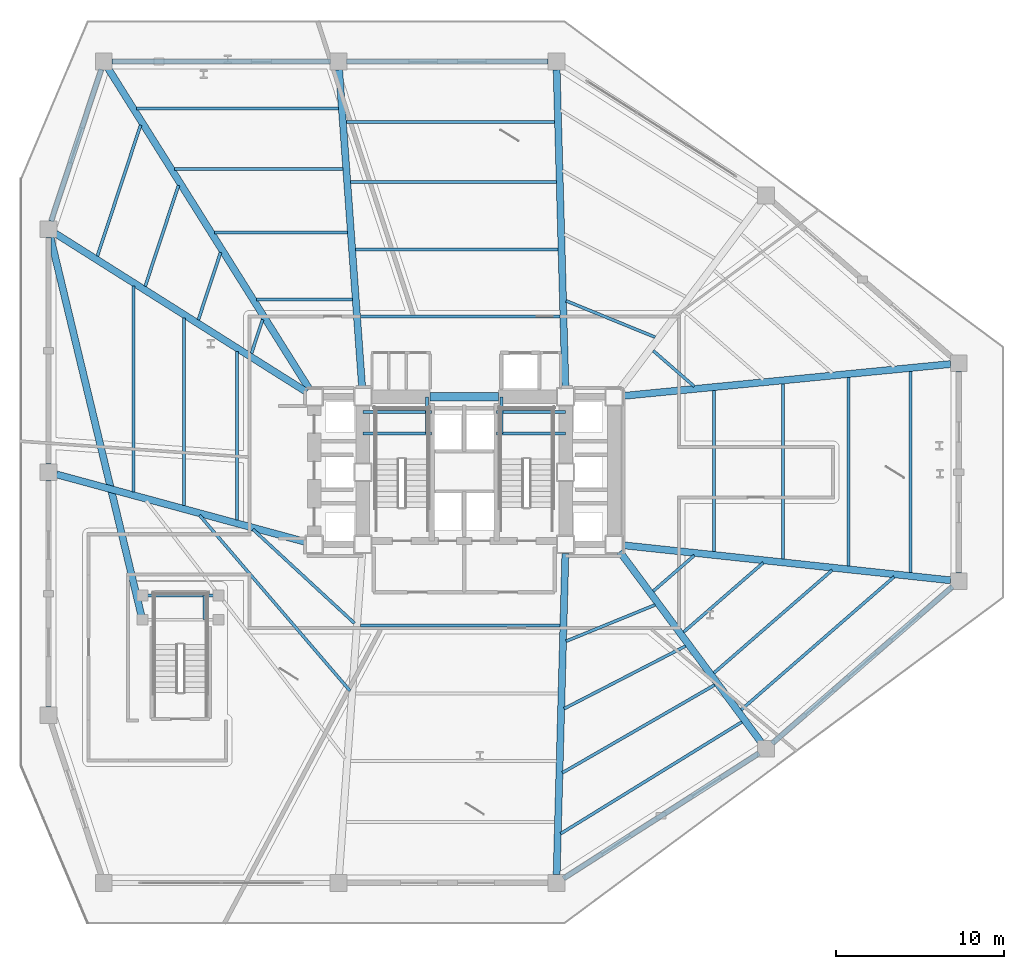
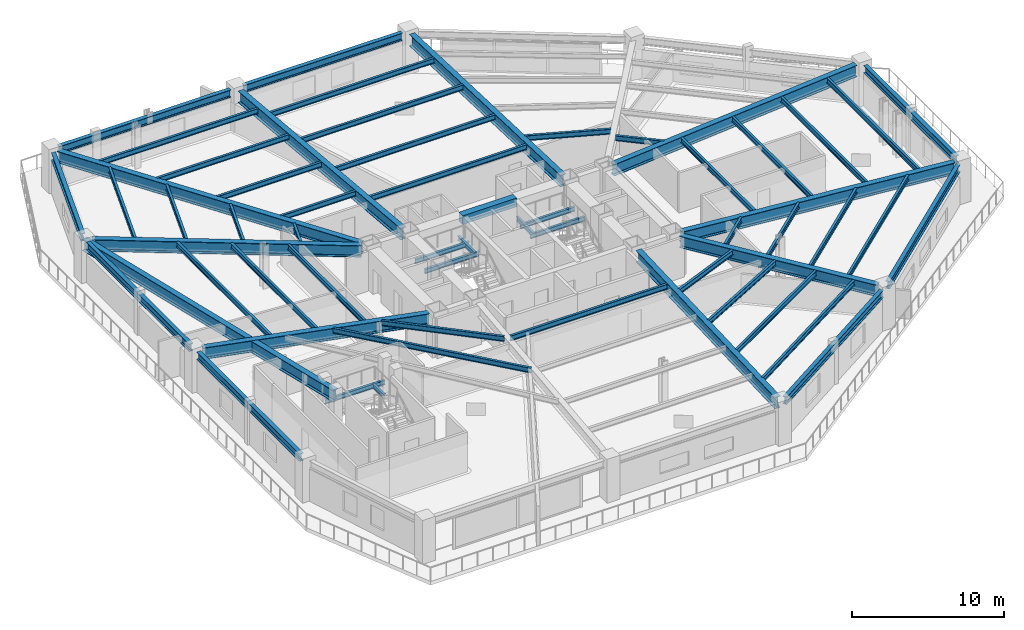
# One storey, part 3 of 12: 59 beams.
"""IFC4 building model written with IfcOpenShell, lengths in metres."""

from ifc_helpers import new_model, si_unit, direction, frame, origin, origin_2d, place, context, subcontext, project, spatial, rectangle, i_section, extrude, material, material_profile, profile_set, type_object, element, save


model = new_model("IFC4")

# Units and contexts
model_context = context("Model", 3, precision=1e-05, world=origin(), true_north=direction((0.0, 1.0)))
body_context = subcontext(model_context, "Body", "Model", "MODEL_VIEW")
ifc_project = project(units=[si_unit("LENGTHUNIT", "METRE"), si_unit("AREAUNIT", "SQUARE_METRE"), si_unit("VOLUMEUNIT", "CUBIC_METRE"), si_unit("PLANEANGLEUNIT", "RADIAN"), si_unit("MASSUNIT", "GRAM", prefix="KILO")], contexts=[model_context])

# Site, building, storey
site_placement = place(None, origin())
site = spatial("IfcSite", under=ifc_project, at=site_placement, CompositionType="ELEMENT")
building_placement = place(site_placement, origin())
building = spatial("IfcBuilding", under=site, at=building_placement, Name="Rocaltana Carrier Exchange", CompositionType="ELEMENT")
storey_placement = place(building_placement, frame((0.0, 0.0, 8.320068359375)))
storey = spatial("IfcBuildingStorey", under=building, at=storey_placement, Name="L03", CompositionType="ELEMENT", Elevation=8.320068359375)

# Beams
ifc_material_1 = material(Name="Concrete C60/75", Category="concrete")
ifc_material_profile_1 = material_profile(ifc_material_1, rectangle(XDim=0.5, YDim=0.699951171875, at=origin_2d()), Name="RC-BM-500X700")
ifc_profile_set_1 = profile_set([ifc_material_profile_1], Name="Concrete C60/75")
beam_type_1 = type_object("IfcBeamType", Name="Core Coupling Lintel 500x700", PredefinedType="LINTEL", material=ifc_profile_set_1)
beam_1_placement = place(storey_placement, frame((-2.050048828125, 4.5, 2.867919921875), z_axis=(1.0, 0.0, 0.0), x_axis=(0.0, 1.0, 0.0)))
element("IfcBeam", 1, at=beam_1_placement, inside=storey, type_object=beam_type_1, Name="L03 Core Coupling Lintel CL-N", PredefinedType="LINTEL", context=body_context, shape_type="SweptSolid", body=[
    extrude(rectangle(XDim=0.5, YDim=0.699951171875, at=origin_2d()), origin(), (0.0, 0.0, 1.0), 4.10009765625),
])
ifc_material_2 = material(Name="Steel S355", Category="steel")
ifc_material_profile_2 = material_profile(ifc_material_2, i_section(OverallWidth=0.172119140625, OverallDepth=0.35791015625, WebThickness=0.0078125, FlangeThickness=0.01318359375, FilletRadius=0.011962890625, at=origin_2d()), Name="W14X38")
ifc_profile_set_2 = profile_set([ifc_material_profile_2], Name="Steel S355")
beam_type_2 = type_object("IfcBeamType", Name="Floor Joist W14X38", PredefinedType="JOIST", material=ifc_profile_set_2)
for number, where, z_axis, x_axis, name in (
    (2, (-6.050048828125, 2.300048828125, 1.380859375), (1.0, 0.0, 0.0), (0.0, 1.0, 0.0), "L03 ST-1 Landing Carrier 1"),
    (3, (1.93994140625, 2.300048828125, 1.380859375), (1.0, 0.0, 0.0), (0.0, 1.0, 0.0), "L03 ST-2 Landing Carrier 1"),
    (4, (-6.050048828125, 3.60009765625, 1.380859375), (1.0, 0.0, 0.0), (0.0, 1.0, 0.0), "L03 ST-1 Landing Carrier 2"),
    (5, (1.93994140625, 3.60009765625, 1.380859375), (1.0, 0.0, 0.0), (0.0, 1.0, 0.0), "L03 ST-2 Landing Carrier 2"),
):
    element("IfcBeam", number, at=place(storey_placement, frame(where, z_axis=z_axis, x_axis=x_axis)), inside=storey, type_object=beam_type_2, Name=name, PredefinedType="JOIST", context=body_context, shape_type="SweptSolid", body=[
        extrude(i_section(OverallWidth=0.172119140625, OverallDepth=0.35791015625, WebThickness=0.0078125, FlangeThickness=0.01318359375, FilletRadius=0.011962890625, at=origin_2d()), origin(), (0.0, 0.0, 1.0), 4.110107421875),
    ])
for number, where, z_axis, x_axis, name in (
    (6, (-2.219970703125, 2.300048828125, 1.380859375), (0.0, 1.0, 0.0), (-1.0, 0.0, 0.0), "L03 ST-1 Landing Cross Trimmer"),
    (7, (2.219970703125, 2.300048828125, 1.380859375), (0.0, 1.0, 0.0), (-1.0, 0.0, 0.0), "L03 ST-2 Landing Cross Trimmer"),
):
    element("IfcBeam", number, at=place(storey_placement, frame(where, z_axis=z_axis, x_axis=x_axis)), inside=storey, type_object=beam_type_2, Name=name, PredefinedType="JOIST", context=body_context, shape_type="SweptSolid", body=[
        extrude(i_section(OverallWidth=0.172119140625, OverallDepth=0.35791015625, WebThickness=0.0078125, FlangeThickness=0.01318359375, FilletRadius=0.011962890625, at=origin_2d()), origin(), (0.0, 0.0, 1.0), 2.199951171875),
    ])
beam_2_placement = place(storey_placement, frame((-19.199951171875, -7.35009765625, 1.380859375), z_axis=(1.0, 0.0, 0.0), x_axis=(0.0, 1.0, 0.0)))
element("IfcBeam", 8, at=beam_2_placement, inside=storey, type_object=beam_type_2, Name="L03 ST-3 North Landing Carrier", PredefinedType="JOIST", context=body_context, shape_type="SweptSolid", body=[
    extrude(i_section(OverallWidth=0.172119140625, OverallDepth=0.35791015625, WebThickness=0.0078125, FlangeThickness=0.01318359375, FilletRadius=0.011962890625, at=origin_2d()), origin(), (0.0, 0.0, 1.0), 4.550048828125),
])
beam_3_placement = place(storey_placement, frame((-15.5, -8.800048828125, 1.380859375), z_axis=(0.0, 1.0, 0.0), x_axis=(-1.0, 0.0, 0.0)))
element("IfcBeam", 9, at=beam_3_placement, inside=storey, type_object=beam_type_2, Name="L03 ST-3 Landing Cross Trimmer", PredefinedType="JOIST", context=body_context, shape_type="SweptSolid", body=[
    extrude(i_section(OverallWidth=0.172119140625, OverallDepth=0.35791015625, WebThickness=0.0078125, FlangeThickness=0.01318359375, FilletRadius=0.011962890625, at=origin_2d()), origin(), (0.0, 0.0, 1.0), 1.449951171875),
])
ifc_material_3 = material(Name="Steel S355", Category="steel")
ifc_material_profile_3 = material_profile(ifc_material_3, i_section(OverallWidth=0.179931640625, OverallDepth=0.4130859375, WebThickness=0.009765625, FlangeThickness=0.01611328125, FilletRadius=0.012939453125, at=origin_2d()), Name="W16X50")
ifc_profile_set_3 = profile_set([ifc_material_profile_3], Name="Steel S355")
beam_type_3 = type_object("IfcBeamType", Name="Floor Joist W16X50", PredefinedType="JOIST", material=ifc_profile_set_3)
beam_4_placement = place(storey_placement, frame((-6.195068359375, -9.14794921875, 3.011474609375), z_axis=(1.0, 0.0, 0.0), x_axis=(0.0, 1.0, 0.0)))
element("IfcBeam", 10, at=beam_4_placement, inside=storey, type_object=beam_type_3, Name="FJ-POD-01-1-L03", PredefinedType="JOIST", context=body_context, shape_type="SweptSolid", body=[
    extrude(i_section(OverallWidth=0.179931640625, OverallDepth=0.4130859375, WebThickness=0.009765625, FlangeThickness=0.01611328125, FilletRadius=0.012939453125, at=origin_2d()), origin(), (0.0, 0.0, 1.0), 11.91015625),
])
beam_5_placement = place(storey_placement, frame((6.078369140625, -10.081298828125, 3.011474609375), z_axis=(0.925857980972, 0.377871670108, 0.0), x_axis=(-0.377871670108, 0.925857980972, 0.0)))
element("IfcBeam", 11, at=beam_5_placement, inside=storey, type_object=beam_type_3, Name="FJ-POD-02-1-L03", PredefinedType="JOIST", context=body_context, shape_type="SweptSolid", body=[
    extrude(i_section(OverallWidth=0.179931640625, OverallDepth=0.4130859375, WebThickness=0.009765625, FlangeThickness=0.01611328125, FilletRadius=0.012939453125, at=origin_2d()), origin(), (0.0, 0.0, 1.0), 5.7333984375),
])
beam_6_placement = place(storey_placement, frame((5.9609375, -14.10498046875, 3.011474609375), z_axis=(0.888846638309, 0.458204816176, 0.0), x_axis=(-0.458204816176, 0.888846638309, 0.0)))
element("IfcBeam", 12, at=beam_6_placement, inside=storey, type_object=beam_type_3, Name="FJ-POD-02-2-L03", PredefinedType="JOIST", context=body_context, shape_type="SweptSolid", body=[
    extrude(i_section(OverallWidth=0.179931640625, OverallDepth=0.4130859375, WebThickness=0.009765625, FlangeThickness=0.01611328125, FilletRadius=0.012939453125, at=origin_2d()), origin(), (0.0, 0.0, 1.0), 8.14892578125),
])
beam_7_placement = place(storey_placement, frame((5.851806640625, -17.9345703125, 3.011474609375), z_axis=(0.866158045768, 0.499770186937, 0.0), x_axis=(-0.499770186937, 0.866158045768, 0.0)))
element("IfcBeam", 13, at=beam_7_placement, inside=storey, type_object=beam_type_3, Name="FJ-POD-02-3-L03", PredefinedType="JOIST", context=body_context, shape_type="SweptSolid", body=[
    extrude(i_section(OverallWidth=0.179931640625, OverallDepth=0.4130859375, WebThickness=0.009765625, FlangeThickness=0.01611328125, FilletRadius=0.012939453125, at=origin_2d()), origin(), (0.0, 0.0, 1.0), 10.47900390625),
])
beam_8_placement = place(storey_placement, frame((5.749755859375, -21.5654296875, 3.011474609375), z_axis=(0.851162281675, 0.524902629307, 0.0), x_axis=(-0.524902629307, 0.851162281675, 0.0)))
element("IfcBeam", 14, at=beam_8_placement, inside=storey, type_object=beam_type_3, Name="FJ-POD-02-4-L03", PredefinedType="JOIST", context=body_context, shape_type="SweptSolid", body=[
    extrude(i_section(OverallWidth=0.179931640625, OverallDepth=0.4130859375, WebThickness=0.009765625, FlangeThickness=0.01611328125, FilletRadius=0.012939453125, at=origin_2d()), origin(), (0.0, 0.0, 1.0), 12.700927734375),
])
beam_9_placement = place(storey_placement, frame((11.275146484375, -7.0947265625, 3.011474609375), z_axis=(0.75461037159, 0.656173138042, 0.0), x_axis=(-0.656173138042, 0.75461037159, 0.0)))
element("IfcBeam", 15, at=beam_9_placement, inside=storey, type_object=beam_type_3, Name="FJ-POD-03-1-L03", PredefinedType="JOIST", context=body_context, shape_type="SweptSolid", body=[
    extrude(i_section(OverallWidth=0.179931640625, OverallDepth=0.4130859375, WebThickness=0.009765625, FlangeThickness=0.01611328125, FilletRadius=0.012939453125, at=origin_2d()), origin(), (0.0, 0.0, 1.0), 3.25146484375),
])
beam_10_placement = place(storey_placement, frame((13.085205078125, -9.534912109375, 3.011474609375), z_axis=(0.754592172713, 0.656194066477, 0.0), x_axis=(-0.656194066477, 0.754592172713, 0.0)))
element("IfcBeam", 16, at=beam_10_placement, inside=storey, type_object=beam_type_3, Name="FJ-POD-03-2-L03", PredefinedType="JOIST", context=body_context, shape_type="SweptSolid", body=[
    extrude(i_section(OverallWidth=0.179931640625, OverallDepth=0.4130859375, WebThickness=0.009765625, FlangeThickness=0.01611328125, FilletRadius=0.012939453125, at=origin_2d()), origin(), (0.0, 0.0, 1.0), 6.299560546875),
])
beam_11_placement = place(storey_placement, frame((14.895263671875, -11.974853515625, 3.011474609375), z_axis=(0.754600461433, 0.65618453472, 0.0), x_axis=(-0.65618453472, 0.754600461433, 0.0)))
element("IfcBeam", 17, at=beam_11_placement, inside=storey, type_object=beam_type_3, Name="FJ-POD-03-3-L03", PredefinedType="JOIST", context=body_context, shape_type="SweptSolid", body=[
    extrude(i_section(OverallWidth=0.179931640625, OverallDepth=0.4130859375, WebThickness=0.009765625, FlangeThickness=0.01611328125, FilletRadius=0.012939453125, at=origin_2d()), origin(), (0.0, 0.0, 1.0), 9.34716796875),
])
beam_12_placement = place(storey_placement, frame((16.524169921875, -14.1708984375, 3.011474609375), z_axis=(0.754602044397, 0.656182714335, 0.0), x_axis=(-0.656182714335, 0.754602044397, 0.0)))
element("IfcBeam", 18, at=beam_12_placement, inside=storey, type_object=beam_type_3, Name="FJ-POD-03-4-L03", PredefinedType="JOIST", context=body_context, shape_type="SweptSolid", body=[
    extrude(i_section(OverallWidth=0.179931640625, OverallDepth=0.4130859375, WebThickness=0.009765625, FlangeThickness=0.01611328125, FilletRadius=0.012939453125, at=origin_2d()), origin(), (0.0, 0.0, 1.0), 12.090576171875),
])
beam_13_placement = place(storey_placement, frame((14.909423828125, -4.735107421875, 3.011474609375), z_axis=(0.0, 1.0, 0.0), x_axis=(-1.0, 0.0, 0.0)))
element("IfcBeam", 19, at=beam_13_placement, inside=storey, type_object=beam_type_3, Name="FJ-POD-04-1-L03", PredefinedType="JOIST", context=body_context, shape_type="SweptSolid", body=[
    extrude(i_section(OverallWidth=0.179931640625, OverallDepth=0.4130859375, WebThickness=0.009765625, FlangeThickness=0.01611328125, FilletRadius=0.012939453125, at=origin_2d()), origin(), (0.0, 0.0, 1.0), 9.612060546875),
])
beam_14_placement = place(storey_placement, frame((19.01953125, -5.175048828125, 3.011474609375), z_axis=(0.0, 1.0, 0.0), x_axis=(-1.0, 0.0, 0.0)))
element("IfcBeam", 20, at=beam_14_placement, inside=storey, type_object=beam_type_3, Name="FJ-POD-04-2-L03", PredefinedType="JOIST", context=body_context, shape_type="SweptSolid", body=[
    extrude(i_section(OverallWidth=0.179931640625, OverallDepth=0.4130859375, WebThickness=0.009765625, FlangeThickness=0.01611328125, FilletRadius=0.012939453125, at=origin_2d()), origin(), (0.0, 0.0, 1.0), 10.4521484375),
])
beam_15_placement = place(storey_placement, frame((22.924072265625, -5.593017578125, 3.011474609375), z_axis=(0.0, 1.0, 0.0), x_axis=(-1.0, 0.0, 0.0)))
element("IfcBeam", 21, at=beam_15_placement, inside=storey, type_object=beam_type_3, Name="FJ-POD-04-3-L03", PredefinedType="JOIST", context=body_context, shape_type="SweptSolid", body=[
    extrude(i_section(OverallWidth=0.179931640625, OverallDepth=0.4130859375, WebThickness=0.009765625, FlangeThickness=0.01611328125, FilletRadius=0.012939453125, at=origin_2d()), origin(), (0.0, 0.0, 1.0), 11.25),
])
beam_16_placement = place(storey_placement, frame((26.623046875, -5.989013671875, 3.011474609375), z_axis=(0.0, 1.0, 0.0), x_axis=(-1.0, 0.0, 0.0)))
element("IfcBeam", 22, at=beam_16_placement, inside=storey, type_object=beam_type_3, Name="FJ-POD-04-4-L03", PredefinedType="JOIST", context=body_context, shape_type="SweptSolid", body=[
    extrude(i_section(OverallWidth=0.179931640625, OverallDepth=0.4130859375, WebThickness=0.009765625, FlangeThickness=0.01611328125, FilletRadius=0.012939453125, at=origin_2d()), origin(), (0.0, 0.0, 1.0), 12.006103515625),
])
beam_17_placement = place(storey_placement, frame((13.728759765625, 5.11328125, 3.011474609375), z_axis=(-0.75461037159, 0.656173138042, 0.0), x_axis=(-0.656173138042, -0.75461037159, 0.0)))
element("IfcBeam", 23, at=beam_17_placement, inside=storey, type_object=beam_type_3, Name="FJ-POD-05-1-L03", PredefinedType="JOIST", context=body_context, shape_type="SweptSolid", body=[
    extrude(i_section(OverallWidth=0.179931640625, OverallDepth=0.4130859375, WebThickness=0.009765625, FlangeThickness=0.01611328125, FilletRadius=0.012939453125, at=origin_2d()), origin(), (0.0, 0.0, 1.0), 3.25146484375),
])
beam_18_placement = place(storey_placement, frame((11.38671875, 8.056640625, 3.011474609375), z_axis=(-0.925843082985, 0.377908170974, 0.0), x_axis=(-0.377908170974, -0.925843082985, 0.0)))
element("IfcBeam", 24, at=beam_18_placement, inside=storey, type_object=beam_type_3, Name="FJ-POD-06-1-L03", PredefinedType="JOIST", context=body_context, shape_type="SweptSolid", body=[
    extrude(i_section(OverallWidth=0.179931640625, OverallDepth=0.4130859375, WebThickness=0.009765625, FlangeThickness=0.01611328125, FilletRadius=0.012939453125, at=origin_2d()), origin(), (0.0, 0.0, 1.0), 5.733642578125),
])
beam_19_placement = place(storey_placement, frame((5.715087890625, 9.300048828125, 3.011474609375), z_axis=(-1.0, 0.0, 0.0), x_axis=(0.0, -1.0, 0.0)))
element("IfcBeam", 25, at=beam_19_placement, inside=storey, type_object=beam_type_3, Name="FJ-POD-07-1-L03", PredefinedType="JOIST", context=body_context, shape_type="SweptSolid", body=[
    extrude(i_section(OverallWidth=0.179931640625, OverallDepth=0.4130859375, WebThickness=0.009765625, FlangeThickness=0.01611328125, FilletRadius=0.012939453125, at=origin_2d()), origin(), (0.0, 0.0, 1.0), 11.91015625),
])
beam_20_placement = place(storey_placement, frame((5.60498046875, 13.300048828125, 3.011474609375), z_axis=(-1.0, 0.0, 0.0), x_axis=(0.0, -1.0, 0.0)))
element("IfcBeam", 26, at=beam_20_placement, inside=storey, type_object=beam_type_3, Name="FJ-POD-07-2-L03", PredefinedType="JOIST", context=body_context, shape_type="SweptSolid", body=[
    extrude(i_section(OverallWidth=0.179931640625, OverallDepth=0.4130859375, WebThickness=0.009765625, FlangeThickness=0.01611328125, FilletRadius=0.012939453125, at=origin_2d()), origin(), (0.0, 0.0, 1.0), 12.090087890625),
])
beam_21_placement = place(storey_placement, frame((5.4951171875, 17.300048828125, 3.011474609375), z_axis=(-1.0, 0.0, 0.0), x_axis=(0.0, -1.0, 0.0)))
element("IfcBeam", 27, at=beam_21_placement, inside=storey, type_object=beam_type_3, Name="FJ-POD-07-3-L03", PredefinedType="JOIST", context=body_context, shape_type="SweptSolid", body=[
    extrude(i_section(OverallWidth=0.179931640625, OverallDepth=0.4130859375, WebThickness=0.009765625, FlangeThickness=0.01611328125, FilletRadius=0.012939453125, at=origin_2d()), origin(), (0.0, 0.0, 1.0), 12.27001953125),
])
beam_22_placement = place(storey_placement, frame((5.39599609375, 20.89990234375, 3.011474609375), z_axis=(-1.0, 0.0, 0.0), x_axis=(0.0, -1.0, 0.0)))
element("IfcBeam", 28, at=beam_22_placement, inside=storey, type_object=beam_type_3, Name="FJ-POD-07-4-L03", PredefinedType="JOIST", context=body_context, shape_type="SweptSolid", body=[
    extrude(i_section(OverallWidth=0.179931640625, OverallDepth=0.4130859375, WebThickness=0.009765625, FlangeThickness=0.01611328125, FilletRadius=0.012939453125, at=origin_2d()), origin(), (0.0, 0.0, 1.0), 12.431884765625),
])
beam_23_placement = place(storey_placement, frame((-6.673583984375, 10.300048828125, 3.011474609375), z_axis=(-1.0, 0.0, 0.0), x_axis=(0.0, -1.0, 0.0)))
element("IfcBeam", 29, at=beam_23_placement, inside=storey, type_object=beam_type_3, Name="FJ-POD-08-1-L03", PredefinedType="JOIST", context=body_context, shape_type="SweptSolid", body=[
    extrude(i_section(OverallWidth=0.179931640625, OverallDepth=0.4130859375, WebThickness=0.009765625, FlangeThickness=0.01611328125, FilletRadius=0.012939453125, at=origin_2d()), origin(), (0.0, 0.0, 1.0), 5.712890625),
])
beam_24_placement = place(storey_placement, frame((-6.96337890625, 14.300048828125, 3.011474609375), z_axis=(-1.0, 0.0, 0.0), x_axis=(0.0, -1.0, 0.0)))
element("IfcBeam", 30, at=beam_24_placement, inside=storey, type_object=beam_type_3, Name="FJ-POD-08-2-L03", PredefinedType="JOIST", context=body_context, shape_type="SweptSolid", body=[
    extrude(i_section(OverallWidth=0.179931640625, OverallDepth=0.4130859375, WebThickness=0.009765625, FlangeThickness=0.01611328125, FilletRadius=0.012939453125, at=origin_2d()), origin(), (0.0, 0.0, 1.0), 7.93310546875),
])
beam_25_placement = place(storey_placement, frame((-7.239013671875, 18.10009765625, 3.011474609375), z_axis=(-1.0, 0.0, 0.0), x_axis=(0.0, -1.0, 0.0)))
element("IfcBeam", 31, at=beam_25_placement, inside=storey, type_object=beam_type_3, Name="FJ-POD-08-3-L03", PredefinedType="JOIST", context=body_context, shape_type="SweptSolid", body=[
    extrude(i_section(OverallWidth=0.179931640625, OverallDepth=0.4130859375, WebThickness=0.009765625, FlangeThickness=0.01611328125, FilletRadius=0.012939453125, at=origin_2d()), origin(), (0.0, 0.0, 1.0), 10.0419921875),
])
beam_26_placement = place(storey_placement, frame((-7.5, 21.699951171875, 3.011474609375), z_axis=(-1.0, 0.0, 0.0), x_axis=(0.0, -1.0, 0.0)))
element("IfcBeam", 32, at=beam_26_placement, inside=storey, type_object=beam_type_3, Name="FJ-POD-08-4-L03", PredefinedType="JOIST", context=body_context, shape_type="SweptSolid", body=[
    extrude(i_section(OverallWidth=0.179931640625, OverallDepth=0.4130859375, WebThickness=0.009765625, FlangeThickness=0.01611328125, FilletRadius=0.012939453125, at=origin_2d()), origin(), (0.0, 0.0, 1.0), 12.0400390625),
])
beam_27_placement = place(storey_placement, frame((-12.025634765625, 9.107177734375, 3.011474609375), z_axis=(-0.313395098314, -0.949622826365, 0.0), x_axis=(0.949622826365, -0.313395098314, 0.0)))
element("IfcBeam", 33, at=beam_27_placement, inside=storey, type_object=beam_type_3, Name="FJ-POD-09-1-L03", PredefinedType="JOIST", context=body_context, shape_type="SweptSolid", body=[
    extrude(i_section(OverallWidth=0.179931640625, OverallDepth=0.4130859375, WebThickness=0.009765625, FlangeThickness=0.01611328125, FilletRadius=0.012939453125, at=origin_2d()), origin(), (0.0, 0.0, 1.0), 2.121337890625),
])
beam_28_placement = place(storey_placement, frame((-14.53564453125, 13.107177734375, 3.011474609375), z_axis=(-0.313367558739, -0.949631914549, 0.0), x_axis=(0.949631914549, -0.313367558739, 0.0)))
element("IfcBeam", 34, at=beam_28_placement, inside=storey, type_object=beam_type_3, Name="FJ-POD-09-2-L03", PredefinedType="JOIST", context=body_context, shape_type="SweptSolid", body=[
    extrude(i_section(OverallWidth=0.179931640625, OverallDepth=0.4130859375, WebThickness=0.009765625, FlangeThickness=0.01611328125, FilletRadius=0.012939453125, at=origin_2d()), origin(), (0.0, 0.0, 1.0), 4.227294921875),
])
beam_29_placement = place(storey_placement, frame((-17.045654296875, 17.107177734375, 3.011474609375), z_axis=(-0.313393097124, -0.949623486796, 0.0), x_axis=(0.949623486796, -0.313393097124, 0.0)))
element("IfcBeam", 35, at=beam_29_placement, inside=storey, type_object=beam_type_3, Name="FJ-POD-09-3-L03", PredefinedType="JOIST", context=body_context, shape_type="SweptSolid", body=[
    extrude(i_section(OverallWidth=0.179931640625, OverallDepth=0.4130859375, WebThickness=0.009765625, FlangeThickness=0.01611328125, FilletRadius=0.012939453125, at=origin_2d()), origin(), (0.0, 0.0, 1.0), 6.33349609375),
])
beam_30_placement = place(storey_placement, frame((-19.3046875, 20.707275390625, 3.011474609375), z_axis=(-0.313360330933, -0.949634299611, 0.0), x_axis=(0.949634299611, -0.313360330933, 0.0)))
element("IfcBeam", 36, at=beam_30_placement, inside=storey, type_object=beam_type_3, Name="FJ-POD-09-4-L03", PredefinedType="JOIST", context=body_context, shape_type="SweptSolid", body=[
    extrude(i_section(OverallWidth=0.179931640625, OverallDepth=0.4130859375, WebThickness=0.009765625, FlangeThickness=0.01611328125, FilletRadius=0.012939453125, at=origin_2d()), origin(), (0.0, 0.0, 1.0), 8.22900390625),
])
beam_31_placement = place(storey_placement, frame((-13.54638671875, 7.197021484375, 3.011474609375), z_axis=(0.0, -1.0, 0.0), x_axis=(1.0, 0.0, 0.0)))
element("IfcBeam", 37, at=beam_31_placement, inside=storey, type_object=beam_type_3, Name="FJ-POD-10-1-L03", PredefinedType="JOIST", context=body_context, shape_type="SweptSolid", body=[
    extrude(i_section(OverallWidth=0.179931640625, OverallDepth=0.4130859375, WebThickness=0.009765625, FlangeThickness=0.01611328125, FilletRadius=0.012939453125, at=origin_2d()), origin(), (0.0, 0.0, 1.0), 10.047119140625),
])
beam_32_placement = place(storey_placement, frame((-16.716552734375, 9.197021484375, 3.011474609375), z_axis=(0.0, -1.0, 0.0), x_axis=(1.0, 0.0, 0.0)))
element("IfcBeam", 38, at=beam_32_placement, inside=storey, type_object=beam_type_3, Name="FJ-POD-10-2-L03", PredefinedType="JOIST", context=body_context, shape_type="SweptSolid", body=[
    extrude(i_section(OverallWidth=0.179931640625, OverallDepth=0.4130859375, WebThickness=0.009765625, FlangeThickness=0.01611328125, FilletRadius=0.012939453125, at=origin_2d()), origin(), (0.0, 0.0, 1.0), 11.18701171875),
])
beam_33_placement = place(storey_placement, frame((-19.72802734375, 11.096923828125, 3.011474609375), z_axis=(0.0, -1.0, 0.0), x_axis=(1.0, 0.0, 0.0)))
element("IfcBeam", 39, at=beam_33_placement, inside=storey, type_object=beam_type_3, Name="FJ-POD-10-3-L03", PredefinedType="JOIST", context=body_context, shape_type="SweptSolid", body=[
    extrude(i_section(OverallWidth=0.179931640625, OverallDepth=0.4130859375, WebThickness=0.009765625, FlangeThickness=0.01611328125, FilletRadius=0.012939453125, at=origin_2d()), origin(), (0.0, 0.0, 1.0), 12.27001953125),
])
beam_34_placement = place(storey_placement, frame((-12.60498046875, -3.406005859375, 3.011474609375), z_axis=(0.734070313169, -0.679073468282, 0.0), x_axis=(0.679073468282, 0.734070313169, 0.0)))
element("IfcBeam", 40, at=beam_34_placement, inside=storey, type_object=beam_type_3, Name="FJ-POD-11-1-L03", PredefinedType="JOIST", context=body_context, shape_type="SweptSolid", body=[
    extrude(i_section(OverallWidth=0.179931640625, OverallDepth=0.4130859375, WebThickness=0.009765625, FlangeThickness=0.01611328125, FilletRadius=0.012939453125, at=origin_2d()), origin(), (0.0, 0.0, 1.0), 8.25244140625),
])
beam_35_placement = place(storey_placement, frame((-15.7919921875, -2.562255859375, 3.011474609375), z_axis=(0.650641180635, -0.759385313304, 0.0), x_axis=(0.759385313304, 0.650641180635, 0.0)))
element("IfcBeam", 41, at=beam_35_placement, inside=storey, type_object=beam_type_3, Name="FJ-POD-11-2-L03", PredefinedType="JOIST", context=body_context, shape_type="SweptSolid", body=[
    extrude(i_section(OverallWidth=0.179931640625, OverallDepth=0.4130859375, WebThickness=0.009765625, FlangeThickness=0.01611328125, FilletRadius=0.012939453125, at=origin_2d()), origin(), (0.0, 0.0, 1.0), 13.789306640625),
])
ifc_material_4 = material(Name="Steel S355", Category="steel")
ifc_material_profile_4 = material_profile(ifc_material_4, i_section(OverallWidth=0.41796875, OverallDepth=0.927001953125, WebThickness=0.019287109375, FlangeThickness=0.031982421875, FilletRadius=0.02197265625, at=origin_2d()), Name="W36X231")
ifc_profile_set_4 = profile_set([ifc_material_profile_4], Name="Steel S355")
beam_type_4 = type_object("IfcBeamType", Name="Heavy Floor Girder W36X231", PredefinedType="BEAM", material=ifc_profile_set_4)
beam_36_placement = place(storey_placement, frame((-24.800048828125, 14.5, 2.75439453125), z_axis=(0.233691988748, -0.972310677919, 0.0), x_axis=(0.972310677919, 0.233691988748, 0.0)))
element("IfcBeam", 42, at=beam_36_placement, inside=storey, type_object=beam_type_4, Name="BM-PODG-ST3TRIM-L03", PredefinedType="BEAM", context=body_context, shape_type="SweptSolid", body=[
    extrude(i_section(OverallWidth=0.41796875, OverallDepth=0.927001953125, WebThickness=0.019287109375, FlangeThickness=0.031982421875, FilletRadius=0.02197265625, at=origin_2d()), origin(), (0.0, 0.0, 1.0), 23.963623046875),
])
beam_37_placement = place(storey_placement, frame((6.03515625, -4.841796875, 2.75439453125), z_axis=(-0.027210769983, -0.999629718444, 0.0), x_axis=(0.999629718444, -0.027210769983, 0.0)))
element("IfcBeam", 43, at=beam_37_placement, inside=storey, type_object=beam_type_4, Name="BM-PODG-03-L03", PredefinedType="BEAM", context=body_context, shape_type="SweptSolid", body=[
    extrude(i_section(OverallWidth=0.41796875, OverallDepth=0.927001953125, WebThickness=0.019287109375, FlangeThickness=0.031982421875, FilletRadius=0.02197265625, at=origin_2d()), origin(), (0.0, 0.0, 1.0), 19.173583984375),
])
beam_38_placement = place(storey_placement, frame((9.27294921875, -4.7353515625, 2.75439453125), z_axis=(0.595769776536, -0.803155261059, 0.0), x_axis=(0.803155261059, 0.595769776536, 0.0)))
element("IfcBeam", 44, at=beam_38_placement, inside=storey, type_object=beam_type_4, Name="BM-PODG-04-L03", PredefinedType="BEAM", context=body_context, shape_type="SweptSolid", body=[
    extrude(i_section(OverallWidth=0.41796875, OverallDepth=0.927001953125, WebThickness=0.019287109375, FlangeThickness=0.031982421875, FilletRadius=0.02197265625, at=origin_2d()), origin(), (0.0, 0.0, 1.0), 14.15625),
])
beam_39_placement = place(storey_placement, frame((9.489013671875, -4.357666015625, 2.75439453125), z_axis=(0.994318699664, -0.10644399231, 0.0), x_axis=(0.10644399231, 0.994318699664, 0.0)))
element("IfcBeam", 45, at=beam_39_placement, inside=storey, type_object=beam_type_4, Name="BM-PODG-05-L03", PredefinedType="BEAM", context=body_context, shape_type="SweptSolid", body=[
    extrude(i_section(OverallWidth=0.41796875, OverallDepth=0.927001953125, WebThickness=0.019287109375, FlangeThickness=0.031982421875, FilletRadius=0.02197265625, at=origin_2d()), origin(), (0.0, 0.0, 1.0), 19.63330078125),
])
beam_40_placement = place(storey_placement, frame((9.489501953125, 4.552490234375, 2.75439453125), z_axis=(0.995297082443, 0.0968695911, 0.0), x_axis=(-0.0968695911, 0.995297082443, 0.0)))
element("IfcBeam", 46, at=beam_40_placement, inside=storey, type_object=beam_type_4, Name="BM-PODG-06-L03", PredefinedType="BEAM", context=body_context, shape_type="SweptSolid", body=[
    extrude(i_section(OverallWidth=0.41796875, OverallDepth=0.927001953125, WebThickness=0.019287109375, FlangeThickness=0.031982421875, FilletRadius=0.02197265625, at=origin_2d()), origin(), (0.0, 0.0, 1.0), 19.613037109375),
])
beam_41_placement = place(storey_placement, frame((6.03515625, 5.041748046875, 2.75439453125), z_axis=(-0.027497418433, 0.9996218745, 0.0), x_axis=(-0.9996218745, -0.027497418433, 0.0)))
element("IfcBeam", 47, at=beam_41_placement, inside=storey, type_object=beam_type_4, Name="BM-PODG-08-L03", PredefinedType="BEAM", context=body_context, shape_type="SweptSolid", body=[
    extrude(i_section(OverallWidth=0.41796875, OverallDepth=0.927001953125, WebThickness=0.019287109375, FlangeThickness=0.031982421875, FilletRadius=0.02197265625, at=origin_2d()), origin(), (0.0, 0.0, 1.0), 18.9736328125),
])
beam_42_placement = place(storey_placement, frame((-6.089111328125, 5.04052734375, 2.75439453125), z_axis=(-0.072310719598, 0.997382153355, 0.0), x_axis=(-0.997382153355, -0.072310719598, 0.0)))
element("IfcBeam", 48, at=beam_42_placement, inside=storey, type_object=beam_type_4, Name="BM-PODG-09-L03", PredefinedType="BEAM", context=body_context, shape_type="SweptSolid", body=[
    extrude(i_section(OverallWidth=0.41796875, OverallDepth=0.927001953125, WebThickness=0.019287109375, FlangeThickness=0.031982421875, FilletRadius=0.02197265625, at=origin_2d()), origin(), (0.0, 0.0, 1.0), 19.0185546875),
])
beam_43_placement = place(storey_placement, frame((-9.238037109375, 4.958984375, 2.75439453125), z_axis=(-0.531521193094, 0.847044993665, 0.0), x_axis=(-0.847044993665, -0.531521193094, 0.0)))
element("IfcBeam", 49, at=beam_43_placement, inside=storey, type_object=beam_type_4, Name="BM-PODG-10-L03", PredefinedType="BEAM", context=body_context, shape_type="SweptSolid", body=[
    extrude(i_section(OverallWidth=0.41796875, OverallDepth=0.927001953125, WebThickness=0.019287109375, FlangeThickness=0.031982421875, FilletRadius=0.02197265625, at=origin_2d()), origin(), (0.0, 0.0, 1.0), 22.57763671875),
])
beam_44_placement = place(storey_placement, frame((-9.408447265625, 4.789306640625, 2.75439453125), z_axis=(-0.845740432833, 0.533594527962, 0.0), x_axis=(-0.533594527962, -0.845740432833, 0.0)))
element("IfcBeam", 50, at=beam_44_placement, inside=storey, type_object=beam_type_4, Name="BM-PODG-11-L03", PredefinedType="BEAM", context=body_context, shape_type="SweptSolid", body=[
    extrude(i_section(OverallWidth=0.41796875, OverallDepth=0.927001953125, WebThickness=0.019287109375, FlangeThickness=0.031982421875, FilletRadius=0.02197265625, at=origin_2d()), origin(), (0.0, 0.0, 1.0), 17.706787109375),
])
beam_45_placement = place(storey_placement, frame((-9.47314453125, -4.158203125, 2.75439453125), z_axis=(-0.965113696216, 0.261831154327, 0.0), x_axis=(-0.261831154327, -0.965113696216, 0.0)))
element("IfcBeam", 51, at=beam_45_placement, inside=storey, type_object=beam_type_4, Name="BM-PODG-12-L03", PredefinedType="BEAM", context=body_context, shape_type="SweptSolid", body=[
    extrude(i_section(OverallWidth=0.41796875, OverallDepth=0.927001953125, WebThickness=0.019287109375, FlangeThickness=0.031982421875, FilletRadius=0.02197265625, at=origin_2d()), origin(), (0.0, 0.0, 1.0), 15.388916015625),
])
ifc_material_5 = material(Name="Steel S355", Category="steel")
ifc_material_profile_5 = material_profile(ifc_material_5, i_section(OverallWidth=0.300048828125, OverallDepth=0.60009765625, WebThickness=0.015380859375, FlangeThickness=0.030029296875, FilletRadius=0.027099609375, at=origin_2d()), Name="HEB600")
ifc_profile_set_5 = profile_set([ifc_material_profile_5], Name="Steel S355")
beam_type_5 = type_object("IfcBeamType", Name="Spandrel Edge Beam HEB600", PredefinedType="SPANDREL", material=ifc_profile_set_5)
beam_46_placement = place(storey_placement, frame((5.914306640625, -24.23486328125, 2.91796875), z_axis=(0.842270120768, 0.539055696252, 0.0), x_axis=(-0.539055696252, 0.842270120768, 0.0)))
element("IfcBeam", 52, at=beam_46_placement, inside=storey, type_object=beam_type_5, Name="BM-PODR-03-L03", PredefinedType="SPANDREL", context=body_context, shape_type="SweptSolid", body=[
    extrude(i_section(OverallWidth=0.300048828125, OverallDepth=0.60009765625, WebThickness=0.015380859375, FlangeThickness=0.030029296875, FilletRadius=0.027099609375, at=origin_2d()), origin(), (0.0, 0.0, 1.0), 13.857177734375),
])
beam_47_placement = place(storey_placement, frame((18.371337890625, -16.17724609375, 2.91796875), z_axis=(0.754595198685, 0.656190586737, 0.0), x_axis=(-0.656190586737, 0.754595198685, 0.0)))
element("IfcBeam", 53, at=beam_47_placement, inside=storey, type_object=beam_type_5, Name="BM-PODR-04-L03", PredefinedType="SPANDREL", context=body_context, shape_type="SweptSolid", body=[
    extrude(i_section(OverallWidth=0.300048828125, OverallDepth=0.60009765625, WebThickness=0.015380859375, FlangeThickness=0.030029296875, FilletRadius=0.027099609375, at=origin_2d()), origin(), (0.0, 0.0, 1.0), 14.255859375),
])
for number, where, z_axis, x_axis, name in (
    (54, (29.5, -6.008056640625, 2.91796875), (0.0, 1.0, 0.0), (-1.0, 0.0, 0.0), "BM-PODR-05-L03"),
    (55, (5.008056640625, 24.5, 2.91796875), (-1.0, 0.0, 0.0), (0.0, -1.0, 0.0), "BM-PODR-08-L03"),
):
    element("IfcBeam", number, at=place(storey_placement, frame(where, z_axis=z_axis, x_axis=x_axis)), inside=storey, type_object=beam_type_5, Name=name, PredefinedType="SPANDREL", context=body_context, shape_type="SweptSolid", body=[
        extrude(i_section(OverallWidth=0.300048828125, OverallDepth=0.60009765625, WebThickness=0.015380859375, FlangeThickness=0.030029296875, FilletRadius=0.027099609375, at=origin_2d()), origin(), (0.0, 0.0, 1.0), 12.01611328125),
    ])
beam_48_placement = place(storey_placement, frame((-7.991943359375, 24.5, 2.91796875), z_axis=(-1.0, 0.0, 0.0), x_axis=(0.0, -1.0, 0.0)))
element("IfcBeam", 56, at=beam_48_placement, inside=storey, type_object=beam_type_5, Name="BM-PODR-09-L03", PredefinedType="SPANDREL", context=body_context, shape_type="SweptSolid", body=[
    extrude(i_section(OverallWidth=0.300048828125, OverallDepth=0.60009765625, WebThickness=0.015380859375, FlangeThickness=0.030029296875, FilletRadius=0.027099609375, at=origin_2d()), origin(), (0.0, 0.0, 1.0), 13.01611328125),
])
beam_49_placement = place(storey_placement, frame((-21.654296875, 24.03271484375, 2.91796875), z_axis=(-0.313364538918, -0.94963291105, 0.0), x_axis=(0.94963291105, -0.313364538918, 0.0)))
element("IfcBeam", 57, at=beam_49_placement, inside=storey, type_object=beam_type_5, Name="BM-PODR-10-L03", PredefinedType="SPANDREL", context=body_context, shape_type="SweptSolid", body=[
    extrude(i_section(OverallWidth=0.300048828125, OverallDepth=0.60009765625, WebThickness=0.015380859375, FlangeThickness=0.030029296875, FilletRadius=0.027099609375, at=origin_2d()), origin(), (0.0, 0.0, 1.0), 9.546142578125),
])
for number, where, z_axis, x_axis, name in (
    (58, (-24.800048828125, 14.008056640625, 2.91796875), (0.0, -1.0, 0.0), (1.0, 0.0, 0.0), "BM-PODR-11-L03"),
    (59, (-24.800048828125, -0.491943359375, 2.91796875), (0.0, -1.0, 0.0), (1.0, 0.0, 0.0), "BM-PODR-12-L03"),
):
    element("IfcBeam", number, at=place(storey_placement, frame(where, z_axis=z_axis, x_axis=x_axis)), inside=storey, type_object=beam_type_5, Name=name, PredefinedType="SPANDREL", context=body_context, shape_type="SweptSolid", body=[
        extrude(i_section(OverallWidth=0.300048828125, OverallDepth=0.60009765625, WebThickness=0.015380859375, FlangeThickness=0.030029296875, FilletRadius=0.027099609375, at=origin_2d()), origin(), (0.0, 0.0, 1.0), 13.51611328125),
    ])

save(model, "model.ifc")
